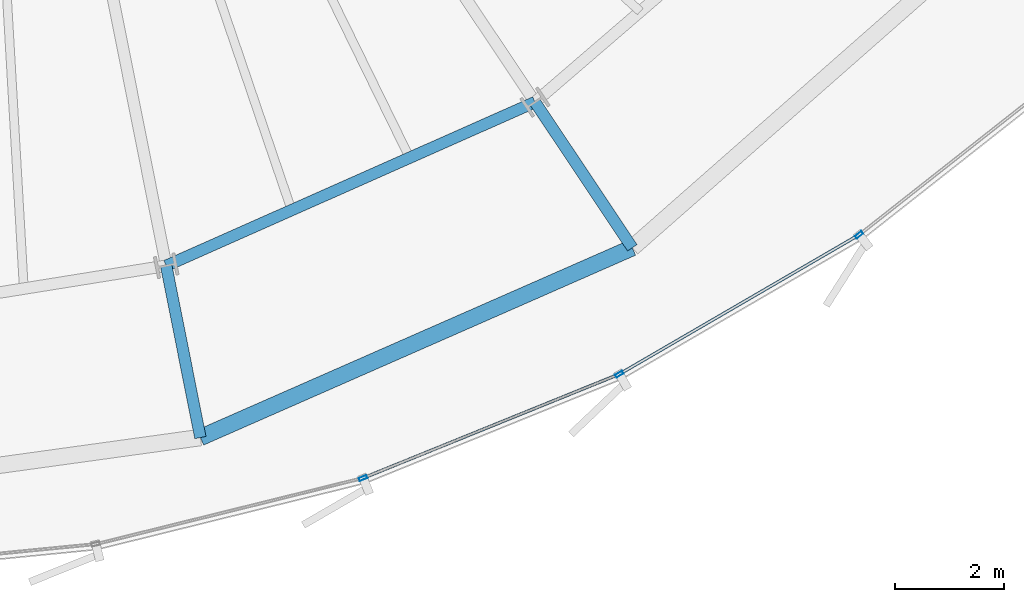
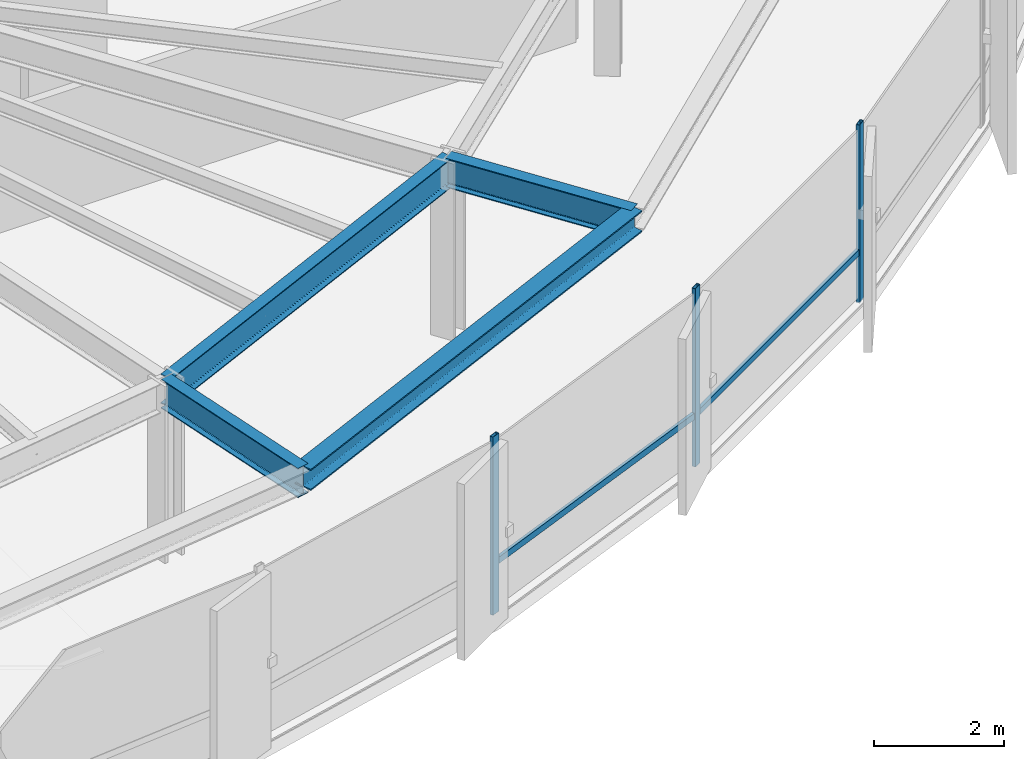
# One storey, part 12 of 35: 5 members, 4 beams, 1 element without a shape of its own.
"""IFC4 building model written with IfcOpenShell, lengths in metres."""

from ifc_helpers import new_model, si_unit, direction, frame, origin, origin_2d, place, context, subcontext, project, spatial, hollow_rectangle, i_section, extrude, source, transform, mapped, material, layer, layer_set, material_profile, profile_set, type_object, element, aggregate, save


model = new_model("IFC4")

# Units and contexts
model_context = context("Model", 3, precision=1e-05, world=origin(), true_north=direction((0.0, 1.0)))
body_context = subcontext(model_context, "Body", "Model", "MODEL_VIEW")
ifc_project = project(units=[si_unit("LENGTHUNIT", "METRE"), si_unit("AREAUNIT", "SQUARE_METRE"), si_unit("VOLUMEUNIT", "CUBIC_METRE"), si_unit("PLANEANGLEUNIT", "RADIAN"), si_unit("MASSUNIT", "GRAM", prefix="KILO"), si_unit("THERMODYNAMICTEMPERATUREUNIT", "KELVIN")], contexts=[model_context])

# Site, building, storey
site_placement = place(None, origin())
site = spatial("IfcSite", under=ifc_project, at=site_placement, CompositionType="ELEMENT")
building_placement = place(site_placement, origin())
building = spatial("IfcBuilding", under=site, at=building_placement, Name="Kethvar Cultural Tower", CompositionType="ELEMENT")
storey_placement = place(building_placement, frame((0.0, 0.0, 107.199951171875)))
storey = spatial("IfcBuildingStorey", under=building, at=storey_placement, Name="L26", CompositionType="ELEMENT", Elevation=107.199951171875)

# Beams
ifc_material_1 = material(Name="Steel S355J2", Category="steel")
ifc_material_profile_1 = material_profile(ifc_material_1, i_section(OverallWidth=0.2099609375, OverallDepth=0.550048828125, WebThickness=0.010986328125, FlangeThickness=0.01708984375, FilletRadius=0.02392578125, at=origin_2d()), Name="Steel S355J2 — IPE550")
ifc_profile_set_1 = profile_set([ifc_material_profile_1], Name="Steel S355J2 — IPE550")
beam_type_1 = type_object("IfcBeamType", Name="BM-IPE550", PredefinedType="BEAM", material=ifc_profile_set_1)
shared_shape_1 = source(origin(), body_context, "Body", "SweptSolid", [
    extrude(i_section(OverallWidth=0.2099609375, OverallDepth=0.550048828125, WebThickness=0.010986328125, FlangeThickness=0.01708984375, FilletRadius=0.02392578125, at=origin_2d()), origin(), (0.0, 0.0, 1.0), 3.199951171875),
])
beam_1_placement = place(storey_placement, frame((57.241943359375, 12.17236328125, 3.072998046875), z_axis=(0.555580212716, -0.831462943996, 0.0), x_axis=(0.831462943996, 0.555580212716, 0.0)))
element("IfcBeam", 1, at=beam_1_placement, inside=storey, type_object=beam_type_1, Name="L26 Perimeter Cantilever Beam RC-14", PredefinedType="BEAM", context=body_context, shape_type="MappedRepresentation", body=[
    mapped(shared_shape_1, transform((0.0, 0.0, 0.0), scale=1.0)),
])
shared_shape_2 = source(origin(), body_context, "Body", "SweptSolid", [
    extrude(i_section(OverallWidth=0.2099609375, OverallDepth=0.550048828125, WebThickness=0.010986328125, FlangeThickness=0.01708984375, FilletRadius=0.02392578125, at=origin_2d()), origin(), (0.0, 0.0, 1.0), 3.2001953125),
])
beam_2_placement = place(storey_placement, frame((50.50341796875, 9.182373046875, 3.072998046875), z_axis=(0.195074368086, -0.980788453702, 0.0), x_axis=(0.980788453702, 0.195074368086, 0.0)))
element("IfcBeam", 2, at=beam_2_placement, inside=storey, type_object=beam_type_1, Name="L26 Perimeter Cantilever Beam RC-13", PredefinedType="BEAM", context=body_context, shape_type="MappedRepresentation", body=[
    mapped(shared_shape_2, transform((0.0, 0.0, 0.0), scale=1.0)),
])
shared_shape_3 = source(origin(), body_context, "Body", "SweptSolid", [
    extrude(i_section(OverallWidth=0.2099609375, OverallDepth=0.550048828125, WebThickness=0.010986328125, FlangeThickness=0.01708984375, FilletRadius=0.02392578125, at=origin_2d()), origin(), (0.0, 0.0, 1.0), 7.3720703125),
])
beam_3_placement = place(storey_placement, frame((50.50341796875, 9.182373046875, 3.072998046875), z_axis=(0.914058560918, 0.405582232367, 0.0), x_axis=(-0.405582232367, 0.914058560918, 0.0)))
element("IfcBeam", 3, at=beam_3_placement, inside=storey, type_object=beam_type_1, Name="L26 Column Ring Tie Beam CR-13", PredefinedType="BEAM", context=body_context, shape_type="MappedRepresentation", body=[
    mapped(shared_shape_3, transform((0.0, 0.0, 0.0), scale=1.0)),
])
ifc_material_profile_2 = material_profile(ifc_material_1, i_section(OverallWidth=0.300048828125, OverallDepth=0.39990234375, WebThickness=0.013427734375, FlangeThickness=0.02392578125, FilletRadius=0.027099609375, at=origin_2d()), Name="Steel S355J2 — HEB400")
ifc_profile_set_2 = profile_set([ifc_material_profile_2], Name="Steel S355J2 — HEB400")
beam_type_2 = type_object("IfcBeamType", Name="BM-SP400", PredefinedType="SPANDREL", material=ifc_profile_set_2)
shared_shape_4 = source(origin(), body_context, "Body", "SweptSolid", [
    extrude(i_section(OverallWidth=0.300048828125, OverallDepth=0.39990234375, WebThickness=0.013427734375, FlangeThickness=0.02392578125, FilletRadius=0.027099609375, at=origin_2d()), origin(), (0.0, 0.0, 1.0), 8.620361328125),
])
beam_4_placement = place(storey_placement, frame((51.127685546875, 6.043701171875, 3.14794921875), z_axis=(0.915507442902, 0.402301034041, 0.0), x_axis=(-0.402301034041, 0.915507442902, 0.0)))
element("IfcBeam", 4, at=beam_4_placement, inside=storey, type_object=beam_type_2, Name="L26 Perimeter Spandrel Beam SP-13", PredefinedType="SPANDREL", context=body_context, shape_type="MappedRepresentation", body=[
    mapped(shared_shape_4, transform((0.0, 0.0, 0.0), scale=1.0)),
])

# Curtain wall, members
ifc_material_2 = material(Name="Aluminium 6063-T6", Category="aluminium")
ifc_layer = layer(ifc_material_2, 0.179931640625, Name="Aluminium 6063-T6", Category="aluminium")
ifc_layer_set = layer_set([ifc_layer], Name="Aluminium 6063-T6 (180 mm)")
curtain_wall_type = type_object("IfcCurtainWallType", Name="CW-SYS-03-Z2", PredefinedType="NOTDEFINED", material=ifc_layer_set)
curtain_wall_placement = place(storey_placement, origin())
curtain_wall = element("IfcCurtainWall", 5, at=curtain_wall_placement, inside=storey, type_object=curtain_wall_type, Name="L26 Curtain Wall Run 05", PredefinedType="NOTDEFINED")
ifc_material_profile_3 = material_profile(ifc_material_2, hollow_rectangle(XDim=0.06005859375, YDim=0.14990234375, WallThickness=0.0048828125, at=origin_2d()), Name="Aluminium 6063-T6 — RHS150x60x5")
ifc_profile_set_3 = profile_set([ifc_material_profile_3], Name="Aluminium 6063-T6 — RHS150x60x5")
member_type_1 = type_object("IfcMemberType", Name="CW-SYS-03-Z2-MUL", PredefinedType="MULLION", material=ifc_profile_set_3)
shared_shape_5 = source(origin(), body_context, "Body", "SweptSolid", [
    extrude(hollow_rectangle(XDim=0.06005859375, YDim=0.14990234375, WallThickness=0.0048828125, at=origin_2d()), origin(), (0.0, 0.0, 1.0), 3.35009765625),
])
member_1_placement = place(storey_placement, frame((54.101318359375, 5.302978515625, 0.0), z_axis=(0.0, 0.0, 1.0), x_axis=(-0.375997858257, 0.926620532141, 0.0)))
member_1 = element("IfcMember", 6, at=member_1_placement, type_object=member_type_1, Name="CW-L26-R05 Mullion 4", PredefinedType="MULLION", context=body_context, shape_type="MappedRepresentation", body=[
    mapped(shared_shape_5, transform((0.0, 0.0, 0.0), scale=1.0)),
])
member_2_placement = place(storey_placement, frame((58.781982421875, 7.200927734375, 0.0), z_axis=(0.0, 0.0, 1.0), x_axis=(-0.502612610888, 0.864511748547, 0.0)))
member_2 = element("IfcMember", 7, at=member_2_placement, type_object=member_type_1, Name="CW-L26-R05 Mullion 5", PredefinedType="MULLION", context=body_context, shape_type="MappedRepresentation", body=[
    mapped(shared_shape_5, transform((0.0, 0.0, 0.0), scale=1.0)),
])
member_3_placement = place(storey_placement, frame((63.1650390625, 9.747802734375, 0.0), z_axis=(0.0, 0.0, 1.0), x_axis=(-0.618668961365, 0.78565177798, 0.0)))
member_3 = element("IfcMember", 8, at=member_3_placement, type_object=member_type_1, Name="CW-L26-R05 Mullion 6", PredefinedType="MULLION", context=body_context, shape_type="MappedRepresentation", body=[
    mapped(shared_shape_5, transform((0.0, 0.0, 0.0), scale=1.0)),
])
ifc_material_profile_4 = material_profile(ifc_material_2, hollow_rectangle(XDim=0.054931640625, YDim=0.1201171875, WallThickness=0.00390625, at=origin_2d()), Name="Aluminium 6063-T6 — RHS120x55x4")
ifc_profile_set_4 = profile_set([ifc_material_profile_4], Name="Aluminium 6063-T6 — RHS120x55x4")
member_type_2 = type_object("IfcMemberType", Name="CW-SYS-03-Z2-TRN", PredefinedType="USERDEFINED", material=ifc_profile_set_4)
shared_shape_6 = source(origin(), body_context, "Body", "SweptSolid", [
    extrude(hollow_rectangle(XDim=0.054931640625, YDim=0.1201171875, WallThickness=0.00390625, at=origin_2d()), origin(), (0.0, 0.0, 1.0), 4.98095703125),
])
member_4_placement = place(storey_placement, frame((54.14111328125, 5.319091796875, 0.949951171875), z_axis=(0.92662299076, 0.375991799107, 0.0), x_axis=(-0.375991799107, 0.92662299076, 0.0)))
member_4 = element("IfcMember", 9, at=member_4_placement, type_object=member_type_2, Name="CW-L26-R05 Transom 4", ObjectType="TRANSOM", PredefinedType="USERDEFINED", context=body_context, shape_type="MappedRepresentation", body=[
    mapped(shared_shape_6, transform((0.0, 0.0, 0.0), scale=1.0)),
])
shared_shape_7 = source(origin(), body_context, "Body", "SweptSolid", [
    extrude(hollow_rectangle(XDim=0.054931640625, YDim=0.1201171875, WallThickness=0.00390625, at=origin_2d()), origin(), (0.0, 0.0, 1.0), 4.9990234375),
])
member_5_placement = place(storey_placement, frame((58.8193359375, 7.22265625, 0.949951171875), z_axis=(0.864525445975, 0.502589050081, 0.0), x_axis=(-0.502589050081, 0.864525445975, 0.0)))
member_5 = element("IfcMember", 10, at=member_5_placement, type_object=member_type_2, Name="CW-L26-R05 Transom 5", ObjectType="TRANSOM", PredefinedType="USERDEFINED", context=body_context, shape_type="MappedRepresentation", body=[
    mapped(shared_shape_7, transform((0.0, 0.0, 0.0), scale=1.0)),
])
aggregate(curtain_wall, [member_1, member_2, member_3, member_4, member_5])

save(model, "model.ifc")
